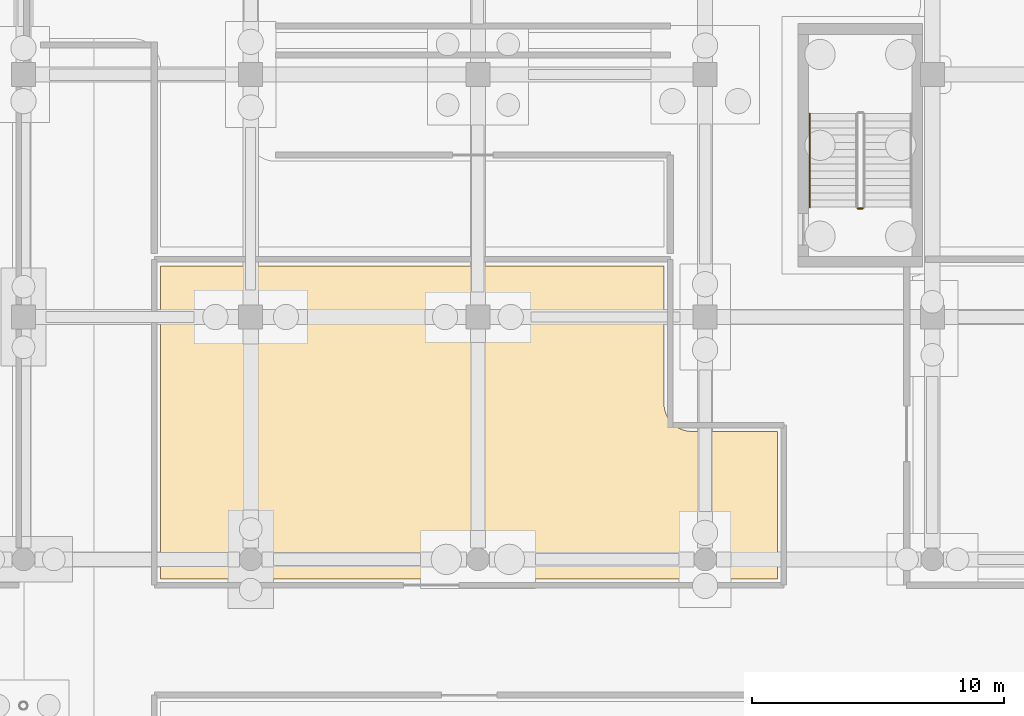
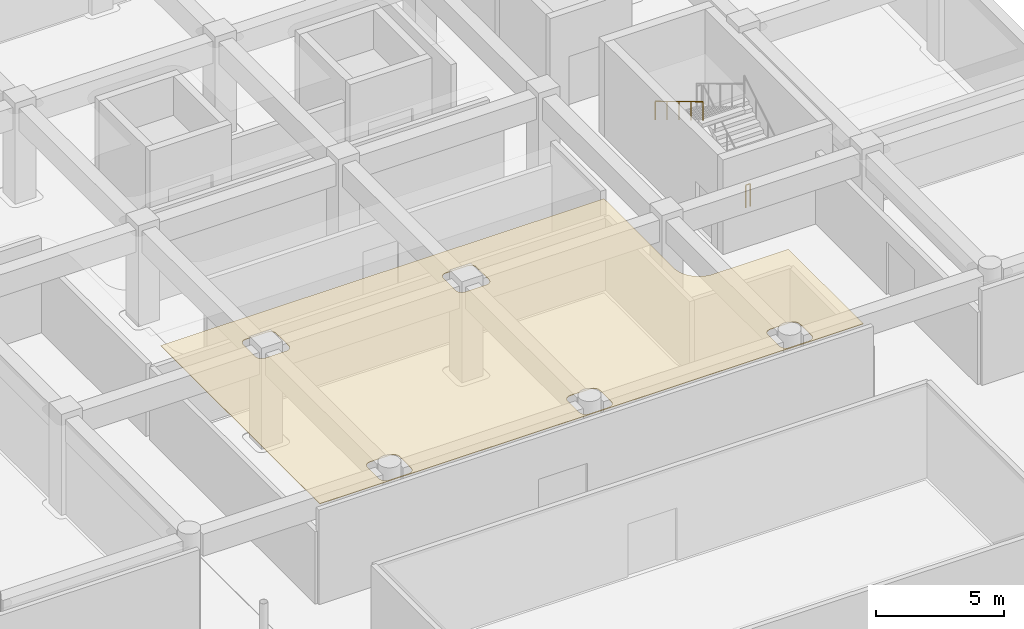
# One storey, part 39 of 47: 2 railings, 1 covering.
"""IFC4 building model written with IfcOpenShell, lengths in metres."""

import ifcopenshell
import ifcopenshell.guid

model = None  # the IFC model being written
_history = None  # IfcOwnerHistory: only IFC2X3 demands one
_inside = {}  # id of a spatial element -> (the spatial element, [elements in it])
_under = {}  # id of a project, library or spatial element -> (it, [spatial elements below it])
_declared = {}  # id of a project -> (the project, [libraries it declares])
_typed = {}  # id of a type object -> (the type object, [elements of that type])
_made_of = {}  # id of a material, layer set ... -> (it, [elements and type objects made of it])


def new_model(schema):
    """Start an empty IFC model of exactly this schema.

    Asked for "IFC4X3", IfcOpenShell would pick the latest addendum, in which some entities
    have other attributes; the version numbers below select the first issue.
    IFC2X3 requires an IfcOwnerHistory on every rooted entity: one is made here for all.
    """
    global model, _history
    if schema == "IFC4X3":
        model = ifcopenshell.file(schema_version=(4, 3, 0, 0))
    else:
        model = ifcopenshell.file(schema=schema)
    _inside.clear()
    _under.clear()
    _declared.clear()
    _typed.clear()
    _made_of.clear()
    _history = None
    if model.schema == "IFC2X3":
        org = make("IfcOrganization", Name="unknown")
        user = make(
            "IfcPersonAndOrganization",
            ThePerson=make("IfcPerson", FamilyName="unknown"),
            TheOrganization=org,
        )
        app = make(
            "IfcApplication",
            ApplicationDeveloper=org,
            Version="unknown",
            ApplicationFullName="unknown",
            ApplicationIdentifier="unknown",
        )
        _history = make(
            "IfcOwnerHistory",
            OwningUser=user,
            OwningApplication=app,
            ChangeAction="ADDED",
            CreationDate=0,
        )
    return model


def make(cls, **values):
    """One entity of the class cls with the attributes given. An attribute that is None is left unset."""
    return model.create_entity(
        cls, **{name: value for name, value in values.items() if value is not None}
    )


def rooted(cls, **values):
    """An entity with a GlobalId (a new one), such as an element, a storey or a relation."""
    return make(cls, GlobalId=ifcopenshell.guid.new(), OwnerHistory=_history, **values)


def si_unit(unit_type, name, prefix=None):
    """IfcSIUnit, for example si_unit("LENGTHUNIT", "METRE", prefix="MILLI")."""
    return make("IfcSIUnit", UnitType=unit_type, Prefix=prefix, Name=name)


def assignment(units):
    """IfcUnitAssignment: the units of a project."""
    return None if units is None else make("IfcUnitAssignment", Units=units)


def point(xyz):
    """IfcCartesianPoint."""
    return None if xyz is None else make("IfcCartesianPoint", Coordinates=xyz)


def direction(xyz):
    """IfcDirection."""
    return None if xyz is None else make("IfcDirection", DirectionRatios=xyz)


def frame(location, z_axis=None, x_axis=None):
    """IfcAxis2Placement3D, a coordinate frame: its origin and axes. An axis left out is left unset."""
    return make(
        "IfcAxis2Placement3D",
        Location=point(location),
        Axis=direction(z_axis),
        RefDirection=direction(x_axis),
    )


def frame_2d(location, x_axis=None):
    """IfcAxis2Placement2D, a coordinate frame in the plane: its origin and x axis."""
    return make(
        "IfcAxis2Placement2D", Location=point(location), RefDirection=direction(x_axis)
    )


def origin():
    """The frame at (0, 0, 0) with its axes left unset."""
    return frame((0.0, 0.0, 0.0))


def origin_2d():
    """The frame at (0, 0) in the plane with its x axis left unset."""
    return frame_2d((0.0, 0.0))


def place(relative_to, where):
    """IfcLocalPlacement: puts the frame where relative to a parent placement (None: the world)."""
    return make(
        "IfcLocalPlacement", PlacementRelTo=relative_to, RelativePlacement=where
    )


def context(
    kind, dimensions, precision=None, world=None, true_north=None, identifier=None
):
    """IfcGeometricRepresentationContext, for example the 3D "Model" context."""
    return make(
        "IfcGeometricRepresentationContext",
        ContextIdentifier=identifier,
        ContextType=kind,
        CoordinateSpaceDimension=dimensions,
        Precision=precision,
        WorldCoordinateSystem=world,
        TrueNorth=true_north,
    )


def subcontext(parent, identifier, kind, view, scale=None):
    """IfcGeometricRepresentationSubContext, for example "Body" below "Model"."""
    return make(
        "IfcGeometricRepresentationSubContext",
        ContextIdentifier=identifier,
        ContextType=kind,
        ParentContext=parent,
        TargetScale=scale,
        TargetView=view,
    )


def project(units=None, contexts=None):
    """IfcProject with its units and contexts."""
    return rooted(
        "IfcProject",
        Name="project",
        RepresentationContexts=contexts,
        UnitsInContext=assignment(units),
    )


def spatial(cls, under=None, at=None, **own):
    """A site, building, storey or space (cls), placed at a placement, below another one or the project."""
    s = rooted(cls, ObjectPlacement=at, **own)
    if under is not None:
        _under.setdefault(under.id(), (under, []))[1].append(s)
    return s


def polyline(points):
    """IfcPolyline through the points."""
    return make("IfcPolyline", Points=[point(p) for p in points])


def profile(cls, at=None, kind="AREA", **sizes):
    """A parametric profile (cls). Its sizes go by their IFC names, for example OverallWidth=200.0."""
    return make(cls, ProfileType=kind, Position=at, **sizes)


def circle(**sizes):
    """IfcCircleProfileDef."""
    return profile("IfcCircleProfileDef", **sizes)


def outline(outer, holes=None, kind="AREA"):
    """IfcArbitraryClosedProfileDef: a profile drawn as a closed curve; with holes, ...WithVoids."""
    if holes is None:
        return make("IfcArbitraryClosedProfileDef", ProfileType=kind, OuterCurve=outer)
    return make(
        "IfcArbitraryProfileDefWithVoids",
        ProfileType=kind,
        OuterCurve=outer,
        InnerCurves=holes,
    )


def extrude(swept, where, along, depth):
    """IfcExtrudedAreaSolid: the profile swept, set in the frame where, extruded along a direction by depth."""
    return make(
        "IfcExtrudedAreaSolid",
        SweptArea=swept,
        Position=where,
        ExtrudedDirection=direction(along),
        Depth=depth,
    )


def shape(context_of_items, identifier, shape_type, items):
    """IfcShapeRepresentation: the items that make up one representation, for example the "Body"."""
    return make(
        "IfcShapeRepresentation",
        ContextOfItems=context_of_items,
        RepresentationIdentifier=identifier,
        RepresentationType=shape_type,
        Items=items,
    )


def material(Name=None, Category=None):
    """IfcMaterial."""
    return make("IfcMaterial", Name=Name, Category=Category)


def layer(
    of_material, thickness, ventilated=None, Name=None, Category=None, Priority=None
):
    """IfcMaterialLayer: one layer of a wall or slab, of a material (None: an air gap)."""
    return make(
        "IfcMaterialLayer",
        Material=of_material,
        LayerThickness=thickness,
        IsVentilated=ventilated,
        Name=Name,
        Category=Category,
        Priority=Priority,
    )


def layer_set(layers, Name=None):
    """IfcMaterialLayerSet."""
    return make("IfcMaterialLayerSet", MaterialLayers=layers, LayerSetName=Name)


def made_of(thing, what):
    """Note that an element or type object is made of a material, layer set ...; save() writes the relation."""
    if what is not None:
        _made_of.setdefault(what.id(), (what, []))[1].append(thing)
    return thing


def type_object(cls, material=None, **own):
    """A type object (cls), such as IfcWallType, which elements share."""
    return made_of(rooted(cls, **own), material)


def element(
    cls,
    number,
    at=None,
    inside=None,
    cuts=None,
    type_object=None,
    material=None,
    context=None,
    identifier="Body",
    shape_type=None,
    held_by="IfcProductDefinitionShape",
    body=None,
    shapes=None,
    **own,
):
    """One element of the class cls, such as IfcWall. Its Tag is "e" and its number.

    at: its placement. inside: the storey or other place that contains it. cuts: it is an
    opening in that element (IfcRelVoidsElement). A single representation is given by context,
    identifier, shape_type and body (its items); several are given by shapes. held_by: the class
    of the entity that holds the representations. save() writes the other relations.
    """
    e = rooted(cls, Tag="e%d" % number, ObjectPlacement=at, **own)
    if body is not None:
        shapes = [shape(context, identifier, shape_type, body)]
    if shapes is not None:
        e.Representation = make(held_by, Representations=shapes)
    if inside is not None:
        _inside.setdefault(inside.id(), (inside, []))[1].append(e)
    if cuts is not None:
        rooted(
            "IfcRelVoidsElement", RelatingBuildingElement=cuts, RelatedOpeningElement=e
        )
    if type_object is not None:
        _typed.setdefault(type_object.id(), (type_object, []))[1].append(e)
    return made_of(e, material)


def aggregate(whole, parts):
    """IfcRelAggregates: a whole, such as a stair, and the parts it consists of."""
    return rooted("IfcRelAggregates", RelatingObject=whole, RelatedObjects=parts)


def save(model, path):
    """Write the relations noted so far, then the file.

    IfcRelAggregates (storeys below a building ...), IfcRelContainedInSpatialStructure (elements
    in a storey), IfcRelDefinesByType, IfcRelAssociatesMaterial and IfcRelDeclares: one each for
    every whole, place, type object, material and project.
    """
    for whole, parts in _under.values():
        aggregate(whole, parts)
    for where, things in _inside.values():
        rooted(
            "IfcRelContainedInSpatialStructure",
            RelatedElements=things,
            RelatingStructure=where,
        )
    for kind, things in _typed.values():
        rooted("IfcRelDefinesByType", RelatedObjects=things, RelatingType=kind)
    for what, things in _made_of.values():
        rooted("IfcRelAssociatesMaterial", RelatedObjects=things, RelatingMaterial=what)
    for by, libraries in _declared.values():
        rooted("IfcRelDeclares", RelatingContext=by, RelatedDefinitions=libraries)
    model.write(path)


model = new_model("IFC4")

# Units and contexts
model_context = context("Model", 3, precision=1e-05, world=origin(), true_north=direction((0.0, 1.0)))
body_context = subcontext(model_context, "Body", "Model", "MODEL_VIEW")
ifc_project = project(units=[si_unit("LENGTHUNIT", "METRE"), si_unit("AREAUNIT", "SQUARE_METRE"), si_unit("VOLUMEUNIT", "CUBIC_METRE"), si_unit("PLANEANGLEUNIT", "RADIAN"), si_unit("MASSUNIT", "GRAM", prefix="KILO")], contexts=[model_context])

# Site, building, storey
site_placement = place(None, origin())
site = spatial("IfcSite", under=ifc_project, at=site_placement, CompositionType="ELEMENT")
building_placement = place(site_placement, origin())
building = spatial("IfcBuilding", under=site, at=building_placement, Name="Cendralis Terraced Arcade", CompositionType="ELEMENT")
storey_placement = place(building_placement, frame((0.0, 0.0, -4.800048828125)))
storey = spatial("IfcBuildingStorey", under=building, at=storey_placement, Name="B1", CompositionType="ELEMENT", Elevation=-4.800048828125)

# Covering
ifc_material_1 = material(Name="Gypsum plasterboard acoustic partition")
ifc_layer = layer(ifc_material_1, 0.02490234375, Name="COV-CEIL-ACOU-25")
ifc_layer_set = layer_set([ifc_layer], Name="Gypsum plasterboard acoustic partition")
covering_type = type_object("IfcCoveringType", Name="COV-CEIL-ACOU-25", PredefinedType="CEILING", material=ifc_layer_set)
covering_placement = place(storey_placement, frame((0.0, 0.0, 4.47509765625)))
element("IfcCovering", 1, at=covering_placement, inside=storey, type_object=covering_type, Name="Acoustic Soffit Ceiling B1-018", PredefinedType="CEILING", context=body_context, shape_type="SweptSolid", body=[
    extrude(outline(polyline([(146.570068359375, 66.1708984375), (146.5703125, 66.1650390625), (146.5703125, 66.162109375), (146.570556640625, 66.158935546875), (146.570556640625, 66.156005859375), (146.573486328125, 66.09521484375), (146.573974609375, 66.089111328125), (146.574462890625, 66.083251953125), (146.574951171875, 66.0771484375), (146.576171875, 66.0654296875), (146.57666015625, 66.059326171875), (146.577392578125, 66.053466796875), (146.578369140625, 66.04736328125), (146.587158203125, 65.987060546875), (146.588134765625, 65.981201171875), (146.589111328125, 65.975341796875), (146.59033203125, 65.96923828125), (146.592529296875, 65.957763671875), (146.593994140625, 65.95166015625), (146.59521484375, 65.946044921875), (146.5966796875, 65.93994140625), (146.611328125, 65.881103515625), (146.61279296875, 65.875), (146.614501953125, 65.869384765625), (146.6162109375, 65.863525390625), (146.61962890625, 65.852294921875), (146.62158203125, 65.84619140625), (146.623291015625, 65.8408203125), (146.625244140625, 65.8349609375), (146.645751953125, 65.777587890625), (146.64794921875, 65.77197265625), (146.650146484375, 65.766357421875), (146.65234375, 65.7607421875), (146.656982421875, 65.749755859375), (146.6591796875, 65.744140625), (146.66162109375, 65.73876953125), (146.664306640625, 65.733154296875), (146.690185546875, 65.67822265625), (146.69287109375, 65.672607421875), (146.695556640625, 65.66748046875), (146.698486328125, 65.662109375), (146.7041015625, 65.651611328125), (146.706787109375, 65.646240234375), (146.709716796875, 65.64111328125), (146.712890625, 65.6357421875), (146.744140625, 65.58349609375), (146.747314453125, 65.578369140625), (146.75048828125, 65.573486328125), (146.75390625, 65.568359375), (146.760498046875, 65.55859375), (146.763916015625, 65.553466796875), (146.767333984375, 65.548583984375), (146.77099609375, 65.543701171875), (146.80712890625, 65.494873046875), (146.810791015625, 65.489990234375), (146.814453125, 65.4853515625), (146.818359375, 65.48046875), (146.82568359375, 65.471435546875), (146.829833984375, 65.466796875), (146.83349609375, 65.462158203125), (146.837646484375, 65.45751953125), (146.87841796875, 65.41259765625), (146.8828125, 65.407958984375), (146.88671875, 65.40380859375), (146.89111328125, 65.3994140625), (146.8994140625, 65.39111328125), (146.90380859375, 65.38671875), (146.907958984375, 65.3828125), (146.91259765625, 65.37841796875), (146.95751953125, 65.337646484375), (146.962158203125, 65.33349609375), (146.966796875, 65.329833984375), (146.971435546875, 65.32568359375), (146.98046875, 65.318359375), (146.9853515625, 65.314453125), (146.989990234375, 65.310791015625), (146.994873046875, 65.30712890625), (147.043701171875, 65.27099609375), (147.048583984375, 65.267333984375), (147.053466796875, 65.263916015625), (147.05859375, 65.260498046875), (147.068359375, 65.25390625), (147.073486328125, 65.25048828125), (147.078369140625, 65.247314453125), (147.08349609375, 65.244140625), (147.1357421875, 65.212890625), (147.14111328125, 65.209716796875), (147.146240234375, 65.206787109375), (147.151611328125, 65.2041015625), (147.162109375, 65.198486328125), (147.16748046875, 65.195556640625), (147.172607421875, 65.19287109375), (147.17822265625, 65.190185546875), (147.233154296875, 65.164306640625), (147.23876953125, 65.16162109375), (147.244140625, 65.1591796875), (147.249755859375, 65.156982421875), (147.2607421875, 65.15234375), (147.266357421875, 65.150146484375), (147.27197265625, 65.14794921875), (147.277587890625, 65.145751953125), (147.3349609375, 65.125244140625), (147.3408203125, 65.123291015625), (147.34619140625, 65.12158203125), (147.352294921875, 65.11962890625), (147.363525390625, 65.1162109375), (147.369384765625, 65.114501953125), (147.375, 65.11279296875), (147.381103515625, 65.111328125), (147.43994140625, 65.0966796875), (147.446044921875, 65.09521484375), (147.45166015625, 65.093994140625), (147.457763671875, 65.092529296875), (147.46923828125, 65.09033203125), (147.475341796875, 65.089111328125), (147.481201171875, 65.088134765625), (147.487060546875, 65.087158203125), (147.54736328125, 65.078369140625), (147.553466796875, 65.077392578125), (147.559326171875, 65.07666015625), (147.5654296875, 65.076171875), (147.5771484375, 65.074951171875), (147.583251953125, 65.074462890625), (147.589111328125, 65.073974609375), (147.59521484375, 65.073486328125), (147.656005859375, 65.070556640625), (147.658935546875, 65.070556640625), (147.662109375, 65.0703125), (147.6650390625, 65.0703125), (147.6708984375, 65.070068359375), (147.674072265625, 65.070068359375), (147.677001953125, 65.070068359375), (147.679931640625, 65.070068359375), (151.070068359375, 65.070068359375), (151.070068359375, 59.22998046875), (126.6298828125, 59.22998046875), (126.6298828125, 71.6298828125), (146.570068359375, 71.6298828125), (146.570068359375, 66.179931640625), (146.570068359375, 66.177001953125), (146.570068359375, 66.174072265625), (146.570068359375, 66.1708984375)]), holes=[polyline([(147.6337890625, 59.306396484375), (147.635498046875, 59.305419921875), (147.658203125, 59.296142578125), (147.659912109375, 59.29541015625), (147.683349609375, 59.288330078125), (147.685302734375, 59.287841796875), (147.70947265625, 59.283203125), (147.71142578125, 59.28271484375), (147.73583984375, 59.280517578125), (147.73779296875, 59.2802734375), (147.75, 59.280029296875), (148.64990234375, 59.280029296875), (148.662353515625, 59.2802734375), (148.664306640625, 59.280517578125), (148.688720703125, 59.28271484375), (148.690673828125, 59.283203125), (148.714599609375, 59.287841796875), (148.716552734375, 59.288330078125), (148.739990234375, 59.29541015625), (148.741943359375, 59.296142578125), (148.764404296875, 59.305419921875), (148.766357421875, 59.306396484375), (148.7880859375, 59.31787109375), (148.78955078125, 59.31884765625), (148.81005859375, 59.33251953125), (148.8115234375, 59.333740234375), (148.83056640625, 59.349365234375), (148.83203125, 59.3505859375), (148.849365234375, 59.367919921875), (148.8505859375, 59.369384765625), (148.8662109375, 59.388427734375), (148.867431640625, 59.389892578125), (148.881103515625, 59.410400390625), (148.882080078125, 59.412109375), (148.8935546875, 59.43359375), (148.89453125, 59.435546875), (148.90380859375, 59.4580078125), (148.904541015625, 59.4599609375), (148.91162109375, 59.4833984375), (148.912109375, 59.4853515625), (148.9169921875, 59.509521484375), (148.917236328125, 59.511474609375), (148.919677734375, 59.535888671875), (148.919677734375, 59.53759765625), (148.919921875, 59.550048828125), (148.919921875, 60.449951171875), (148.919677734375, 60.46240234375), (148.919677734375, 60.464111328125), (148.917236328125, 60.488525390625), (148.9169921875, 60.490478515625), (148.912109375, 60.5146484375), (148.91162109375, 60.5166015625), (148.904541015625, 60.5400390625), (148.90380859375, 60.5419921875), (148.89453125, 60.564453125), (148.8935546875, 60.56640625), (148.882080078125, 60.587890625), (148.881103515625, 60.589599609375), (148.867431640625, 60.610107421875), (148.8662109375, 60.611572265625), (148.8505859375, 60.630615234375), (148.849365234375, 60.632080078125), (148.83203125, 60.6494140625), (148.83056640625, 60.650634765625), (148.8115234375, 60.666259765625), (148.81005859375, 60.66748046875), (148.78955078125, 60.68115234375), (148.7880859375, 60.68212890625), (148.766357421875, 60.693603515625), (148.764404296875, 60.694580078125), (148.741943359375, 60.703857421875), (148.739990234375, 60.70458984375), (148.716552734375, 60.711669921875), (148.714599609375, 60.712158203125), (148.690673828125, 60.716796875), (148.688720703125, 60.71728515625), (148.664306640625, 60.719482421875), (148.662353515625, 60.7197265625), (148.64990234375, 60.719970703125), (147.75, 60.719970703125), (147.73779296875, 60.7197265625), (147.73583984375, 60.719482421875), (147.71142578125, 60.71728515625), (147.70947265625, 60.716796875), (147.685302734375, 60.712158203125), (147.683349609375, 60.711669921875), (147.659912109375, 60.70458984375), (147.658203125, 60.703857421875), (147.635498046875, 60.694580078125), (147.6337890625, 60.693603515625), (147.612060546875, 60.68212890625), (147.6103515625, 60.68115234375), (147.590087890625, 60.66748046875), (147.58837890625, 60.666259765625), (147.5693359375, 60.650634765625), (147.568115234375, 60.6494140625), (147.550537109375, 60.632080078125), (147.54931640625, 60.630615234375), (147.53369140625, 60.611572265625), (147.53271484375, 60.610107421875), (147.518798828125, 60.589599609375), (147.517822265625, 60.587890625), (147.50634765625, 60.56640625), (147.505615234375, 60.564453125), (147.49609375, 60.5419921875), (147.49560546875, 60.5400390625), (147.48828125, 60.5166015625), (147.48779296875, 60.5146484375), (147.483154296875, 60.490478515625), (147.48291015625, 60.488525390625), (147.48046875, 60.464111328125), (147.480224609375, 60.46240234375), (147.47998046875, 60.449951171875), (147.47998046875, 59.550048828125), (147.480224609375, 59.53759765625), (147.48046875, 59.535888671875), (147.48291015625, 59.511474609375), (147.483154296875, 59.509521484375), (147.48779296875, 59.4853515625), (147.48828125, 59.4833984375), (147.49560546875, 59.4599609375), (147.49609375, 59.4580078125), (147.505615234375, 59.435546875), (147.50634765625, 59.43359375), (147.517822265625, 59.412109375), (147.518798828125, 59.410400390625), (147.53271484375, 59.389892578125), (147.53369140625, 59.388427734375), (147.54931640625, 59.369384765625), (147.550537109375, 59.367919921875), (147.568115234375, 59.3505859375), (147.5693359375, 59.349365234375), (147.58837890625, 59.333740234375), (147.590087890625, 59.33251953125), (147.6103515625, 59.31884765625), (147.612060546875, 59.31787109375), (147.6337890625, 59.306396484375)]), polyline([(138.608642578125, 68.88134765625), (138.610595703125, 68.880615234375), (138.633056640625, 68.87109375), (138.635009765625, 68.87060546875), (138.658447265625, 68.86328125), (138.660400390625, 68.86279296875), (138.684326171875, 68.858154296875), (138.686279296875, 68.85791015625), (138.710693359375, 68.85546875), (138.712646484375, 68.855224609375), (138.72509765625, 68.85498046875), (139.675048828125, 68.85498046875), (139.687255859375, 68.855224609375), (139.689208984375, 68.85546875), (139.713623046875, 68.85791015625), (139.715576171875, 68.858154296875), (139.739501953125, 68.86279296875), (139.74169921875, 68.86328125), (139.764892578125, 68.87060546875), (139.766845703125, 68.87109375), (139.78955078125, 68.880615234375), (139.791259765625, 68.88134765625), (139.81298828125, 68.892822265625), (139.814697265625, 68.893798828125), (139.8349609375, 68.90771484375), (139.836669921875, 68.90869140625), (139.855712890625, 68.92431640625), (139.85693359375, 68.925537109375), (139.87451171875, 68.943115234375), (139.875732421875, 68.9443359375), (139.891357421875, 68.96337890625), (139.892333984375, 68.965087890625), (139.906005859375, 68.9853515625), (139.906982421875, 68.987060546875), (139.918701171875, 69.0087890625), (139.91943359375, 69.010498046875), (139.928955078125, 69.033203125), (139.929443359375, 69.034912109375), (139.9365234375, 69.058349609375), (139.93701171875, 69.060302734375), (139.94189453125, 69.08447265625), (139.942138671875, 69.08642578125), (139.944580078125, 69.11083984375), (139.944580078125, 69.11279296875), (139.945068359375, 69.125), (139.945068359375, 70.074951171875), (139.944580078125, 70.08740234375), (139.944580078125, 70.089111328125), (139.942138671875, 70.113525390625), (139.94189453125, 70.115478515625), (139.93701171875, 70.1396484375), (139.9365234375, 70.1416015625), (139.929443359375, 70.1650390625), (139.928955078125, 70.1669921875), (139.91943359375, 70.189453125), (139.918701171875, 70.19140625), (139.906982421875, 70.212890625), (139.906005859375, 70.214599609375), (139.892333984375, 70.235107421875), (139.891357421875, 70.236572265625), (139.875732421875, 70.255615234375), (139.87451171875, 70.257080078125), (139.85693359375, 70.2744140625), (139.855712890625, 70.275634765625), (139.836669921875, 70.291259765625), (139.8349609375, 70.29248046875), (139.814697265625, 70.30615234375), (139.81298828125, 70.30712890625), (139.791259765625, 70.318603515625), (139.78955078125, 70.319580078125), (139.766845703125, 70.328857421875), (139.764892578125, 70.32958984375), (139.74169921875, 70.336669921875), (139.739501953125, 70.337158203125), (139.715576171875, 70.341796875), (139.713623046875, 70.34228515625), (139.689208984375, 70.344482421875), (139.687255859375, 70.3447265625), (139.675048828125, 70.344970703125), (138.72509765625, 70.344970703125), (138.712646484375, 70.3447265625), (138.710693359375, 70.344482421875), (138.686279296875, 70.34228515625), (138.684326171875, 70.341796875), (138.660400390625, 70.337158203125), (138.658447265625, 70.336669921875), (138.635009765625, 70.32958984375), (138.633056640625, 70.328857421875), (138.610595703125, 70.319580078125), (138.608642578125, 70.318603515625), (138.5869140625, 70.30712890625), (138.58544921875, 70.30615234375), (138.56494140625, 70.29248046875), (138.5634765625, 70.291259765625), (138.54443359375, 70.275634765625), (138.54296875, 70.2744140625), (138.525634765625, 70.257080078125), (138.5244140625, 70.255615234375), (138.5087890625, 70.236572265625), (138.507568359375, 70.235107421875), (138.493896484375, 70.214599609375), (138.492919921875, 70.212890625), (138.4814453125, 70.19140625), (138.48046875, 70.189453125), (138.47119140625, 70.1669921875), (138.470458984375, 70.1650390625), (138.46337890625, 70.1416015625), (138.462890625, 70.1396484375), (138.4580078125, 70.115478515625), (138.457763671875, 70.113525390625), (138.455322265625, 70.089111328125), (138.455322265625, 70.08740234375), (138.455078125, 70.074951171875), (138.455078125, 69.125), (138.455322265625, 69.11279296875), (138.455322265625, 69.11083984375), (138.457763671875, 69.08642578125), (138.4580078125, 69.08447265625), (138.462890625, 69.060302734375), (138.46337890625, 69.058349609375), (138.470458984375, 69.034912109375), (138.47119140625, 69.033203125), (138.48046875, 69.010498046875), (138.4814453125, 69.0087890625), (138.492919921875, 68.987060546875), (138.493896484375, 68.9853515625), (138.507568359375, 68.965087890625), (138.5087890625, 68.96337890625), (138.5244140625, 68.9443359375), (138.525634765625, 68.943115234375), (138.54296875, 68.925537109375), (138.54443359375, 68.92431640625), (138.5634765625, 68.90869140625), (138.56494140625, 68.90771484375), (138.58544921875, 68.893798828125), (138.5869140625, 68.892822265625), (138.608642578125, 68.88134765625)]), polyline([(138.6337890625, 59.306396484375), (138.635498046875, 59.305419921875), (138.658203125, 59.296142578125), (138.659912109375, 59.29541015625), (138.683349609375, 59.288330078125), (138.685302734375, 59.287841796875), (138.70947265625, 59.283203125), (138.71142578125, 59.28271484375), (138.73583984375, 59.280517578125), (138.73779296875, 59.2802734375), (138.75, 59.280029296875), (139.64990234375, 59.280029296875), (139.662353515625, 59.2802734375), (139.664306640625, 59.280517578125), (139.688720703125, 59.28271484375), (139.690673828125, 59.283203125), (139.714599609375, 59.287841796875), (139.716552734375, 59.288330078125), (139.739990234375, 59.29541015625), (139.741943359375, 59.296142578125), (139.764404296875, 59.305419921875), (139.766357421875, 59.306396484375), (139.7880859375, 59.31787109375), (139.78955078125, 59.31884765625), (139.81005859375, 59.33251953125), (139.8115234375, 59.333740234375), (139.83056640625, 59.349365234375), (139.83203125, 59.3505859375), (139.849365234375, 59.367919921875), (139.8505859375, 59.369384765625), (139.8662109375, 59.388427734375), (139.867431640625, 59.389892578125), (139.881103515625, 59.410400390625), (139.882080078125, 59.412109375), (139.8935546875, 59.43359375), (139.89453125, 59.435546875), (139.90380859375, 59.4580078125), (139.904541015625, 59.4599609375), (139.91162109375, 59.4833984375), (139.912109375, 59.4853515625), (139.9169921875, 59.509521484375), (139.917236328125, 59.511474609375), (139.919677734375, 59.535888671875), (139.919677734375, 59.53759765625), (139.919921875, 59.550048828125), (139.919921875, 60.449951171875), (139.919677734375, 60.46240234375), (139.919677734375, 60.464111328125), (139.917236328125, 60.488525390625), (139.9169921875, 60.490478515625), (139.912109375, 60.5146484375), (139.91162109375, 60.5166015625), (139.904541015625, 60.5400390625), (139.90380859375, 60.5419921875), (139.89453125, 60.564453125), (139.8935546875, 60.56640625), (139.882080078125, 60.587890625), (139.881103515625, 60.589599609375), (139.867431640625, 60.610107421875), (139.8662109375, 60.611572265625), (139.8505859375, 60.630615234375), (139.849365234375, 60.632080078125), (139.83203125, 60.6494140625), (139.83056640625, 60.650634765625), (139.8115234375, 60.666259765625), (139.81005859375, 60.66748046875), (139.78955078125, 60.68115234375), (139.7880859375, 60.68212890625), (139.766357421875, 60.693603515625), (139.764404296875, 60.694580078125), (139.741943359375, 60.703857421875), (139.739990234375, 60.70458984375), (139.716552734375, 60.711669921875), (139.714599609375, 60.712158203125), (139.690673828125, 60.716796875), (139.688720703125, 60.71728515625), (139.664306640625, 60.719482421875), (139.662353515625, 60.7197265625), (139.64990234375, 60.719970703125), (138.75, 60.719970703125), (138.73779296875, 60.7197265625), (138.73583984375, 60.719482421875), (138.71142578125, 60.71728515625), (138.70947265625, 60.716796875), (138.685302734375, 60.712158203125), (138.683349609375, 60.711669921875), (138.659912109375, 60.70458984375), (138.658203125, 60.703857421875), (138.635498046875, 60.694580078125), (138.6337890625, 60.693603515625), (138.612060546875, 60.68212890625), (138.6103515625, 60.68115234375), (138.590087890625, 60.66748046875), (138.58837890625, 60.666259765625), (138.5693359375, 60.650634765625), (138.568115234375, 60.6494140625), (138.550537109375, 60.632080078125), (138.54931640625, 60.630615234375), (138.53369140625, 60.611572265625), (138.53271484375, 60.610107421875), (138.518798828125, 60.589599609375), (138.517822265625, 60.587890625), (138.50634765625, 60.56640625), (138.505615234375, 60.564453125), (138.49609375, 60.5419921875), (138.49560546875, 60.5400390625), (138.48828125, 60.5166015625), (138.48779296875, 60.5146484375), (138.483154296875, 60.490478515625), (138.48291015625, 60.488525390625), (138.48046875, 60.464111328125), (138.480224609375, 60.46240234375), (138.47998046875, 60.449951171875), (138.47998046875, 59.550048828125), (138.480224609375, 59.53759765625), (138.48046875, 59.535888671875), (138.48291015625, 59.511474609375), (138.483154296875, 59.509521484375), (138.48779296875, 59.4853515625), (138.48828125, 59.4833984375), (138.49560546875, 59.4599609375), (138.49609375, 59.4580078125), (138.505615234375, 59.435546875), (138.50634765625, 59.43359375), (138.517822265625, 59.412109375), (138.518798828125, 59.410400390625), (138.53271484375, 59.389892578125), (138.53369140625, 59.388427734375), (138.54931640625, 59.369384765625), (138.550537109375, 59.367919921875), (138.568115234375, 59.3505859375), (138.5693359375, 59.349365234375), (138.58837890625, 59.333740234375), (138.590087890625, 59.33251953125), (138.6103515625, 59.31884765625), (138.612060546875, 59.31787109375), (138.6337890625, 59.306396484375)]), polyline([(129.608642578125, 68.88134765625), (129.610595703125, 68.880615234375), (129.633056640625, 68.87109375), (129.635009765625, 68.87060546875), (129.658447265625, 68.86328125), (129.660400390625, 68.86279296875), (129.684326171875, 68.858154296875), (129.686279296875, 68.85791015625), (129.710693359375, 68.85546875), (129.712646484375, 68.855224609375), (129.72509765625, 68.85498046875), (130.675048828125, 68.85498046875), (130.687255859375, 68.855224609375), (130.689208984375, 68.85546875), (130.713623046875, 68.85791015625), (130.715576171875, 68.858154296875), (130.739501953125, 68.86279296875), (130.74169921875, 68.86328125), (130.764892578125, 68.87060546875), (130.766845703125, 68.87109375), (130.78955078125, 68.880615234375), (130.791259765625, 68.88134765625), (130.81298828125, 68.892822265625), (130.814697265625, 68.893798828125), (130.8349609375, 68.90771484375), (130.836669921875, 68.90869140625), (130.855712890625, 68.92431640625), (130.85693359375, 68.925537109375), (130.87451171875, 68.943115234375), (130.875732421875, 68.9443359375), (130.891357421875, 68.96337890625), (130.892333984375, 68.965087890625), (130.906005859375, 68.9853515625), (130.906982421875, 68.987060546875), (130.918701171875, 69.0087890625), (130.91943359375, 69.010498046875), (130.928955078125, 69.033203125), (130.929443359375, 69.034912109375), (130.9365234375, 69.058349609375), (130.93701171875, 69.060302734375), (130.94189453125, 69.08447265625), (130.942138671875, 69.08642578125), (130.944580078125, 69.11083984375), (130.944580078125, 69.11279296875), (130.945068359375, 69.125), (130.945068359375, 70.074951171875), (130.944580078125, 70.08740234375), (130.944580078125, 70.089111328125), (130.942138671875, 70.113525390625), (130.94189453125, 70.115478515625), (130.93701171875, 70.1396484375), (130.9365234375, 70.1416015625), (130.929443359375, 70.1650390625), (130.928955078125, 70.1669921875), (130.91943359375, 70.189453125), (130.918701171875, 70.19140625), (130.906982421875, 70.212890625), (130.906005859375, 70.214599609375), (130.892333984375, 70.235107421875), (130.891357421875, 70.236572265625), (130.875732421875, 70.255615234375), (130.87451171875, 70.257080078125), (130.85693359375, 70.2744140625), (130.855712890625, 70.275634765625), (130.836669921875, 70.291259765625), (130.8349609375, 70.29248046875), (130.814697265625, 70.30615234375), (130.81298828125, 70.30712890625), (130.791259765625, 70.318603515625), (130.78955078125, 70.319580078125), (130.766845703125, 70.328857421875), (130.764892578125, 70.32958984375), (130.74169921875, 70.336669921875), (130.739501953125, 70.337158203125), (130.715576171875, 70.341796875), (130.713623046875, 70.34228515625), (130.689208984375, 70.344482421875), (130.687255859375, 70.3447265625), (130.675048828125, 70.344970703125), (129.72509765625, 70.344970703125), (129.712646484375, 70.3447265625), (129.710693359375, 70.344482421875), (129.686279296875, 70.34228515625), (129.684326171875, 70.341796875), (129.660400390625, 70.337158203125), (129.658447265625, 70.336669921875), (129.635009765625, 70.32958984375), (129.633056640625, 70.328857421875), (129.610595703125, 70.319580078125), (129.608642578125, 70.318603515625), (129.5869140625, 70.30712890625), (129.58544921875, 70.30615234375), (129.56494140625, 70.29248046875), (129.5634765625, 70.291259765625), (129.54443359375, 70.275634765625), (129.54296875, 70.2744140625), (129.525634765625, 70.257080078125), (129.5244140625, 70.255615234375), (129.5087890625, 70.236572265625), (129.507568359375, 70.235107421875), (129.493896484375, 70.214599609375), (129.492919921875, 70.212890625), (129.4814453125, 70.19140625), (129.48046875, 70.189453125), (129.47119140625, 70.1669921875), (129.470458984375, 70.1650390625), (129.46337890625, 70.1416015625), (129.462890625, 70.1396484375), (129.4580078125, 70.115478515625), (129.457763671875, 70.113525390625), (129.455322265625, 70.089111328125), (129.455322265625, 70.08740234375), (129.455078125, 70.074951171875), (129.455078125, 69.125), (129.455322265625, 69.11279296875), (129.455322265625, 69.11083984375), (129.457763671875, 69.08642578125), (129.4580078125, 69.08447265625), (129.462890625, 69.060302734375), (129.46337890625, 69.058349609375), (129.470458984375, 69.034912109375), (129.47119140625, 69.033203125), (129.48046875, 69.010498046875), (129.4814453125, 69.0087890625), (129.492919921875, 68.987060546875), (129.493896484375, 68.9853515625), (129.507568359375, 68.965087890625), (129.5087890625, 68.96337890625), (129.5244140625, 68.9443359375), (129.525634765625, 68.943115234375), (129.54296875, 68.925537109375), (129.54443359375, 68.92431640625), (129.5634765625, 68.90869140625), (129.56494140625, 68.90771484375), (129.58544921875, 68.893798828125), (129.5869140625, 68.892822265625), (129.608642578125, 68.88134765625)]), polyline([(129.6337890625, 59.306396484375), (129.635498046875, 59.305419921875), (129.658203125, 59.296142578125), (129.659912109375, 59.29541015625), (129.683349609375, 59.288330078125), (129.685302734375, 59.287841796875), (129.70947265625, 59.283203125), (129.71142578125, 59.28271484375), (129.73583984375, 59.280517578125), (129.73779296875, 59.2802734375), (129.75, 59.280029296875), (130.64990234375, 59.280029296875), (130.662353515625, 59.2802734375), (130.664306640625, 59.280517578125), (130.688720703125, 59.28271484375), (130.690673828125, 59.283203125), (130.714599609375, 59.287841796875), (130.716552734375, 59.288330078125), (130.739990234375, 59.29541015625), (130.741943359375, 59.296142578125), (130.764404296875, 59.305419921875), (130.766357421875, 59.306396484375), (130.7880859375, 59.31787109375), (130.78955078125, 59.31884765625), (130.81005859375, 59.33251953125), (130.8115234375, 59.333740234375), (130.83056640625, 59.349365234375), (130.83203125, 59.3505859375), (130.849365234375, 59.367919921875), (130.8505859375, 59.369384765625), (130.8662109375, 59.388427734375), (130.867431640625, 59.389892578125), (130.881103515625, 59.410400390625), (130.882080078125, 59.412109375), (130.8935546875, 59.43359375), (130.89453125, 59.435546875), (130.90380859375, 59.4580078125), (130.904541015625, 59.4599609375), (130.91162109375, 59.4833984375), (130.912109375, 59.4853515625), (130.9169921875, 59.509521484375), (130.917236328125, 59.511474609375), (130.919677734375, 59.535888671875), (130.919677734375, 59.53759765625), (130.919921875, 59.550048828125), (130.919921875, 60.449951171875), (130.919677734375, 60.46240234375), (130.919677734375, 60.464111328125), (130.917236328125, 60.488525390625), (130.9169921875, 60.490478515625), (130.912109375, 60.5146484375), (130.91162109375, 60.5166015625), (130.904541015625, 60.5400390625), (130.90380859375, 60.5419921875), (130.89453125, 60.564453125), (130.8935546875, 60.56640625), (130.882080078125, 60.587890625), (130.881103515625, 60.589599609375), (130.867431640625, 60.610107421875), (130.8662109375, 60.611572265625), (130.8505859375, 60.630615234375), (130.849365234375, 60.632080078125), (130.83203125, 60.6494140625), (130.83056640625, 60.650634765625), (130.8115234375, 60.666259765625), (130.81005859375, 60.66748046875), (130.78955078125, 60.68115234375), (130.7880859375, 60.68212890625), (130.766357421875, 60.693603515625), (130.764404296875, 60.694580078125), (130.741943359375, 60.703857421875), (130.739990234375, 60.70458984375), (130.716552734375, 60.711669921875), (130.714599609375, 60.712158203125), (130.690673828125, 60.716796875), (130.688720703125, 60.71728515625), (130.664306640625, 60.719482421875), (130.662353515625, 60.7197265625), (130.64990234375, 60.719970703125), (129.75, 60.719970703125), (129.73779296875, 60.7197265625), (129.73583984375, 60.719482421875), (129.71142578125, 60.71728515625), (129.70947265625, 60.716796875), (129.685302734375, 60.712158203125), (129.683349609375, 60.711669921875), (129.659912109375, 60.70458984375), (129.658203125, 60.703857421875), (129.635498046875, 60.694580078125), (129.6337890625, 60.693603515625), (129.612060546875, 60.68212890625), (129.6103515625, 60.68115234375), (129.590087890625, 60.66748046875), (129.58837890625, 60.666259765625), (129.5693359375, 60.650634765625), (129.568115234375, 60.6494140625), (129.550537109375, 60.632080078125), (129.54931640625, 60.630615234375), (129.53369140625, 60.611572265625), (129.53271484375, 60.610107421875), (129.518798828125, 60.589599609375), (129.517822265625, 60.587890625), (129.50634765625, 60.56640625), (129.505615234375, 60.564453125), (129.49609375, 60.5419921875), (129.49560546875, 60.5400390625), (129.48828125, 60.5166015625), (129.48779296875, 60.5146484375), (129.483154296875, 60.490478515625), (129.48291015625, 60.488525390625), (129.48046875, 60.464111328125), (129.480224609375, 60.46240234375), (129.47998046875, 60.449951171875), (129.47998046875, 59.550048828125), (129.480224609375, 59.53759765625), (129.48046875, 59.535888671875), (129.48291015625, 59.511474609375), (129.483154296875, 59.509521484375), (129.48779296875, 59.4853515625), (129.48828125, 59.4833984375), (129.49560546875, 59.4599609375), (129.49609375, 59.4580078125), (129.505615234375, 59.435546875), (129.50634765625, 59.43359375), (129.517822265625, 59.412109375), (129.518798828125, 59.410400390625), (129.53271484375, 59.389892578125), (129.53369140625, 59.388427734375), (129.54931640625, 59.369384765625), (129.550537109375, 59.367919921875), (129.568115234375, 59.3505859375), (129.5693359375, 59.349365234375), (129.58837890625, 59.333740234375), (129.590087890625, 59.33251953125), (129.6103515625, 59.31884765625), (129.612060546875, 59.31787109375), (129.6337890625, 59.306396484375)])]), origin(), (0.0, 0.0, 1.0), 0.02490234375),
])

# Railings
ifc_material_2 = material(Name="Brushed stainless steel AISI 316", Category="steel")
railing_type_1 = type_object("IfcRailingType", Name="RL-STAIR-GUARD-1100", PredefinedType="GUARDRAIL", material=ifc_material_2)
railing_1_placement = place(storey_placement, frame((154.449951171875, 73.89990234375, 0.0)))
element("IfcRailing", 2, at=railing_1_placement, inside=storey, type_object=railing_type_1, Name="B1 ST-06 stair guard 4", PredefinedType="GUARDRAIL", context=body_context, shape_type="SweptSolid", body=[
    extrude(circle(Radius=0.02392578125, at=origin_2d()), frame((0.0, 0.0, 1.076171875), z_axis=(-1.0, 0.0, 0.0), x_axis=(0.0, -1.0, 0.0)), (0.0, 0.0, 1.0), 0.199951171875),
    extrude(circle(Radius=0.02099609375, at=origin_2d()), origin(), (0.0, 0.0, 1.0), 1.052001953125),
    extrude(circle(Radius=0.02099609375, at=origin_2d()), frame((-0.199951171875, 0.0, 0.0)), (0.0, 0.0, 1.0), 1.052001953125),
])
railing_type_2 = type_object("IfcRailingType", Name="RL-STAIR-HAND-900", PredefinedType="HANDRAIL", material=ifc_material_2)
railing_2_placement = place(storey_placement, frame((152.35009765625, 77.655029296875, 2.571533203125)))
element("IfcRailing", 3, at=railing_2_placement, inside=storey, type_object=railing_type_2, Name="B1 ST-06 stair handrail 2", PredefinedType="HANDRAIL", context=body_context, shape_type="SweptSolid", body=[
    extrude(circle(Radius=0.02392578125, at=origin_2d()), frame((0.0, 0.0, 0.8759765625), z_axis=(0.0, -0.856934400257, 0.515425487977), x_axis=(1.0, 0.0, 0.0)), (0.0, 0.0, 1.0), 4.32373046875),
    extrude(circle(Radius=0.02099609375, at=origin_2d()), origin(), (0.0, 0.0, 1.0), 0.851806640625),
    extrude(circle(Radius=0.02099609375, at=origin_2d()), frame((0.0, -0.92626953125, 0.55712890625)), (0.0, 0.0, 1.0), 0.851806640625),
    extrude(circle(Radius=0.02099609375, at=origin_2d()), frame((0.0, -1.8525390625, 1.1142578125)), (0.0, 0.0, 1.0), 0.851806640625),
    extrude(circle(Radius=0.02099609375, at=origin_2d()), frame((0.0, -2.77880859375, 1.67138671875)), (0.0, 0.0, 1.0), 0.851806640625),
    extrude(circle(Radius=0.02099609375, at=origin_2d()), frame((0.0, -3.705078125, 2.228515625)), (0.0, 0.0, 1.0), 0.851806640625),
])

save(model, "model.ifc")
